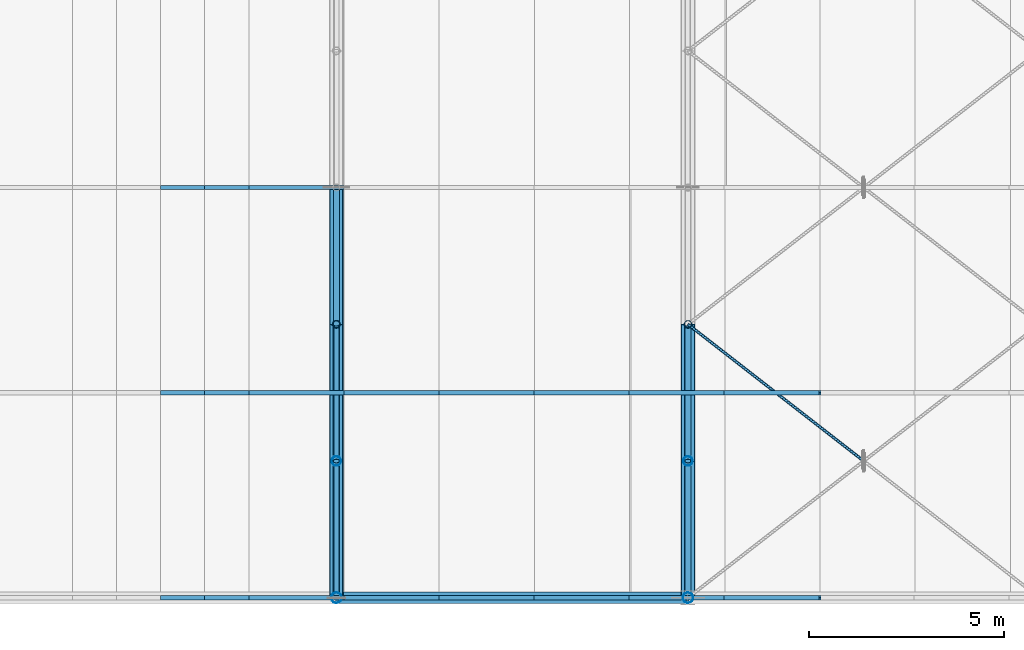
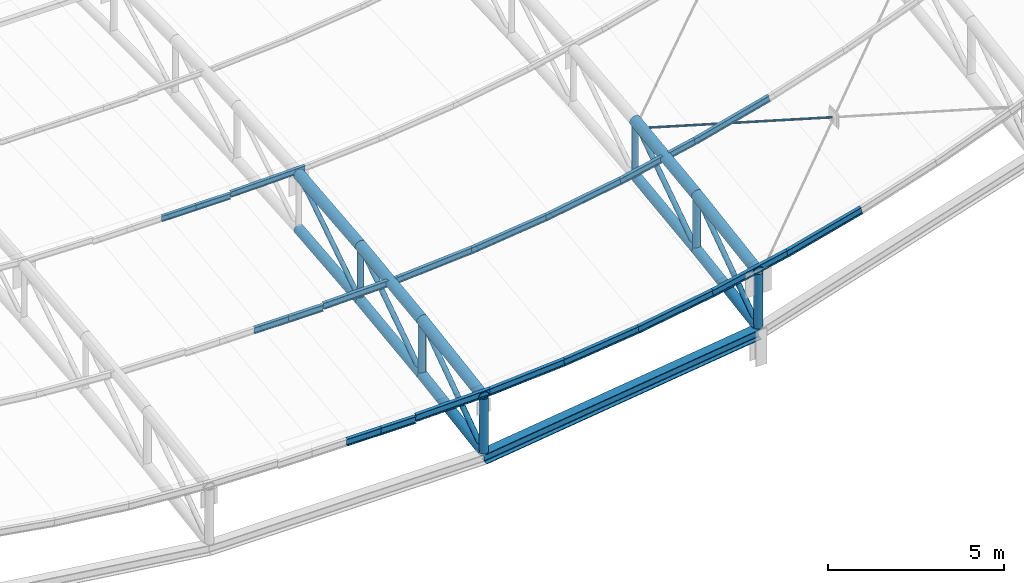
# One storey, part 27 of 262: 41 members, 1 beam.
"""IFC4 building model written with IfcOpenShell, lengths in metres."""

from ifc_helpers import new_model, si_unit, derived_unit, direction, frame, origin, origin_2d, place, context, subcontext, project, spatial, hollow_circle, i_section, extrude, material, material_profile, profile_set, type_object, element, save


model = new_model("IFC4")

# Units and contexts
model_context = context("Model", 3, precision=1e-05, world=origin(), true_north=direction((0.0, 1.0)))
body_context = subcontext(model_context, "Body", "Model", "MODEL_VIEW")
ifc_project = project(units=[si_unit("LENGTHUNIT", "METRE"), si_unit("AREAUNIT", "SQUARE_METRE"), si_unit("VOLUMEUNIT", "CUBIC_METRE"), si_unit("PLANEANGLEUNIT", "RADIAN"), si_unit("MASSUNIT", "GRAM", prefix="KILO"), derived_unit("THERMALTRANSMITTANCEUNIT", [(si_unit("POWERUNIT", "WATT"), 1), (si_unit("LENGTHUNIT", "METRE"), -2), (si_unit("THERMODYNAMICTEMPERATUREUNIT", "KELVIN"), -1)])], contexts=[model_context])

# Site, building, storey
site_placement = place(None, origin())
site = spatial("IfcSite", under=ifc_project, at=site_placement, CompositionType="ELEMENT")
building_placement = place(site_placement, origin())
building = spatial("IfcBuilding", under=site, at=building_placement, Name="Almenara Railside Exhibition Hall", CompositionType="ELEMENT")
storey_placement = place(building_placement, frame((0.0, 0.0, 21.699951171875)))
storey = spatial("IfcBuildingStorey", under=building, at=storey_placement, Name="RF", CompositionType="ELEMENT", Elevation=21.699951171875)

# Members
ifc_material = material(Name="Structural steel S355JR", Category="steel")
ifc_material_profile_1 = material_profile(ifc_material, i_section(OverallWidth=0.110107421875, OverallDepth=0.219970703125, WebThickness=0.005859375, FlangeThickness=0.00927734375, FilletRadius=0.011962890625, at=origin_2d()), Name="IPE 220")
ifc_profile_set_1 = profile_set([ifc_material_profile_1], Name="Structural steel S355JR")
member_type_1 = type_object("IfcMemberType", Name="Heavy Hall Roof Purlin IPE 220 S355JR", PredefinedType="PURLIN", material=ifc_profile_set_1)
member_1_placement = place(storey_placement, frame((34.5, 5.25, -7.349853515625), z_axis=(1.0, 0.0, 0.0), x_axis=(0.0, 1.0, 0.0)))
element("IfcMember", 1, at=member_1_placement, inside=storey, type_object=member_type_1, Name="MEM-PR-V4-PR-IPE220-01-14", PredefinedType="PURLIN", context=body_context, shape_type="SweptSolid", body=[
    extrude(i_section(OverallWidth=0.110107421875, OverallDepth=0.219970703125, WebThickness=0.005859375, FlangeThickness=0.00927734375, FilletRadius=0.011962890625, at=origin_2d()), origin(), (0.0, 0.0, 1.0), 1.1298828125),
])
member_2_placement = place(storey_placement, frame((35.6298828125, 5.25, -7.349853515625), z_axis=(1.0, 0.0, 0.0), x_axis=(0.0, 1.0, 0.0)))
element("IfcMember", 2, at=member_2_placement, inside=storey, type_object=member_type_1, Name="MEM-PR-V4-PR-IPE220-01-15", PredefinedType="PURLIN", context=body_context, shape_type="SweptSolid", body=[
    extrude(i_section(OverallWidth=0.110107421875, OverallDepth=0.219970703125, WebThickness=0.005859375, FlangeThickness=0.00927734375, FilletRadius=0.011962890625, at=origin_2d()), origin(), (0.0, 0.0, 1.0), 1.129638671875),
])
member_3_placement = place(storey_placement, frame((36.759521484375, 5.25, -7.299560546875), z_axis=(0.999725289903, 0.0, 0.023438104182), x_axis=(0.0, 1.0, 0.0)))
element("IfcMember", 3, at=member_3_placement, inside=storey, type_object=member_type_1, Name="MEM-PR-V4-PR-IPE220-01-16", PredefinedType="PURLIN", context=body_context, shape_type="SweptSolid", body=[
    extrude(i_section(OverallWidth=0.110107421875, OverallDepth=0.219970703125, WebThickness=0.005859375, FlangeThickness=0.00927734375, FilletRadius=0.011962890625, at=origin_2d()), origin(), (0.0, 0.0, 1.0), 2.4375),
])
member_4_placement = place(storey_placement, frame((39.1962890625, 5.25, -7.2431640625), z_axis=(0.997521719737, 0.0, 0.070359211571), x_axis=(0.0, 1.0, 0.0)))
element("IfcMember", 4, at=member_4_placement, inside=storey, type_object=member_type_1, Name="MEM-PR-V4-PR-IPE220-01-17", PredefinedType="PURLIN", context=body_context, shape_type="SweptSolid", body=[
    extrude(i_section(OverallWidth=0.110107421875, OverallDepth=0.219970703125, WebThickness=0.005859375, FlangeThickness=0.00927734375, FilletRadius=0.011962890625, at=origin_2d()), origin(), (0.0, 0.0, 1.0), 2.44287109375),
])
member_5_placement = place(storey_placement, frame((41.633056640625, 5.25, -7.07275390625), z_axis=(0.993105700961, 0.0, 0.117222296166), x_axis=(0.0, 1.0, 0.0)))
element("IfcMember", 5, at=member_5_placement, inside=storey, type_object=member_type_1, Name="MEM-PR-V4-PR-IPE220-01-18", PredefinedType="PURLIN", context=body_context, shape_type="SweptSolid", body=[
    extrude(i_section(OverallWidth=0.110107421875, OverallDepth=0.219970703125, WebThickness=0.005859375, FlangeThickness=0.00927734375, FilletRadius=0.011962890625, at=origin_2d()), origin(), (0.0, 0.0, 1.0), 2.453369140625),
])
member_6_placement = place(storey_placement, frame((44.069580078125, 5.25, -6.787353515625), z_axis=(0.986449960692, 0.0, 0.164062412058), x_axis=(0.0, 1.0, 0.0)))
element("IfcMember", 6, at=member_6_placement, inside=storey, type_object=member_type_1, Name="MEM-PR-V4-PR-IPE220-01-19", PredefinedType="PURLIN", context=body_context, shape_type="SweptSolid", body=[
    extrude(i_section(OverallWidth=0.110107421875, OverallDepth=0.219970703125, WebThickness=0.005859375, FlangeThickness=0.00927734375, FilletRadius=0.011962890625, at=origin_2d()), origin(), (0.0, 0.0, 1.0), 2.47021484375),
])
member_7_placement = place(storey_placement, frame((46.50634765625, 5.25, -6.385009765625), z_axis=(0.977496103583, 0.0, 0.210953472309), x_axis=(0.0, 1.0, 0.0)))
element("IfcMember", 7, at=member_7_placement, inside=storey, type_object=member_type_1, Name="MEM-PR-V4-PR-IPE220-01-20", PredefinedType="PURLIN", context=body_context, shape_type="SweptSolid", body=[
    extrude(i_section(OverallWidth=0.110107421875, OverallDepth=0.219970703125, WebThickness=0.005859375, FlangeThickness=0.00927734375, FilletRadius=0.011962890625, at=origin_2d()), origin(), (0.0, 0.0, 1.0), 2.492919921875),
])
member_8_placement = place(storey_placement, frame((48.943115234375, 5.25, -5.86279296875), z_axis=(0.966201190487, 0.0, 0.257789176462), x_axis=(0.0, 1.0, 0.0)))
element("IfcMember", 8, at=member_8_placement, inside=storey, type_object=member_type_1, Name="MEM-PR-V4-PR-IPE220-01-21", PredefinedType="PURLIN", context=body_context, shape_type="SweptSolid", body=[
    extrude(i_section(OverallWidth=0.110107421875, OverallDepth=0.219970703125, WebThickness=0.005859375, FlangeThickness=0.00927734375, FilletRadius=0.011962890625, at=origin_2d()), origin(), (0.0, 0.0, 1.0), 2.52197265625),
])
ifc_material_profile_2 = material_profile(ifc_material, hollow_circle(Radius=0.0380859375, WallThickness=0.003662109375, at=origin_2d()), Name="CHS 76.1x3.6")
ifc_profile_set_2 = profile_set([ifc_material_profile_2], Name="Structural steel S355JR")
member_type_2 = type_object("IfcMemberType", Name="Lantern Cross-Tie Brace CHS 76.1x3.6 S355JR", PredefinedType="BRACE", material=ifc_profile_set_2)
member_9_placement = place(storey_placement, frame((48.0, 7.0, -6.150634765625), z_axis=(0.778918840983, -0.605835224881, 0.162015800021), x_axis=(0.613946586515, 0.789347571673, 0.0)))
element("IfcMember", 9, at=member_9_placement, inside=storey, type_object=member_type_2, Name="MEM-WB-V4-WB-CHS76-05-00-S1", PredefinedType="BRACE", context=body_context, shape_type="SweptSolid", body=[
    extrude(hollow_circle(Radius=0.0380859375, WallThickness=0.003662109375, at=origin_2d()), origin(), (0.0, 0.0, 1.0), 5.7353515625),
])
ifc_material_profile_3 = material_profile(ifc_material, hollow_circle(Radius=0.161865234375, WallThickness=0.010009765625, at=origin_2d()), Name="CHS 323.9x10")
ifc_profile_set_3 = profile_set([ifc_material_profile_3], Name="Structural steel S355JR")
member_type_3 = type_object("IfcMemberType", Name="Plenary Truss Bottom Chord CHS 323.9x10 S355JR", PredefinedType="CHORD", material=ifc_profile_set_3)
member_10_placement = place(storey_placement, frame((39.0, 0.0, -9.95166015625), z_axis=(0.0, 0.987875011802, 0.155251283593), x_axis=(-1.0, 0.0, 0.0)))
element("IfcMember", 10, at=member_10_placement, inside=storey, type_object=member_type_3, Name="MEM-BC-V4-04-00", PredefinedType="CHORD", context=body_context, shape_type="SweptSolid", body=[
    extrude(hollow_circle(Radius=0.161865234375, WallThickness=0.010009765625, at=origin_2d()), origin(), (0.0, 0.0, 1.0), 3.54296875),
])
member_11_placement = place(storey_placement, frame((39.0, 3.5, -9.401611328125), z_axis=(0.0, 0.991837525329, 0.127508130523), x_axis=(-1.0, 0.0, 0.0)))
element("IfcMember", 11, at=member_11_placement, inside=storey, type_object=member_type_3, Name="MEM-BC-V4-04-01", PredefinedType="CHORD", context=body_context, shape_type="SweptSolid", body=[
    extrude(hollow_circle(Radius=0.161865234375, WallThickness=0.010009765625, at=origin_2d()), origin(), (0.0, 0.0, 1.0), 3.52880859375),
])
member_12_placement = place(storey_placement, frame((39.0, 7.0, -8.95166015625), z_axis=(0.0, 0.995034440995, 0.099531207337), x_axis=(-1.0, 0.0, 0.0)))
element("IfcMember", 12, at=member_12_placement, inside=storey, type_object=member_type_3, Name="MEM-BC-V4-04-02", PredefinedType="CHORD", context=body_context, shape_type="SweptSolid", body=[
    extrude(hollow_circle(Radius=0.161865234375, WallThickness=0.010009765625, at=origin_2d()), origin(), (0.0, 0.0, 1.0), 3.517578125),
])
member_13_placement = place(storey_placement, frame((48.0, 0.0, -8.7705078125), z_axis=(0.0, 0.987875011802, 0.155251283593), x_axis=(-1.0, 0.0, 0.0)))
element("IfcMember", 13, at=member_13_placement, inside=storey, type_object=member_type_3, Name="MEM-BC-V4-05-00", PredefinedType="CHORD", context=body_context, shape_type="SweptSolid", body=[
    extrude(hollow_circle(Radius=0.161865234375, WallThickness=0.010009765625, at=origin_2d()), origin(), (0.0, 0.0, 1.0), 3.54296875),
])
member_14_placement = place(storey_placement, frame((48.0, 3.5, -8.220458984375), z_axis=(0.0, 0.991837525329, 0.127508130523), x_axis=(-1.0, 0.0, 0.0)))
element("IfcMember", 14, at=member_14_placement, inside=storey, type_object=member_type_3, Name="MEM-BC-V4-05-01", PredefinedType="CHORD", context=body_context, shape_type="SweptSolid", body=[
    extrude(hollow_circle(Radius=0.161865234375, WallThickness=0.010009765625, at=origin_2d()), origin(), (0.0, 0.0, 1.0), 3.52880859375),
])
ifc_material_profile_4 = material_profile(ifc_material, hollow_circle(Radius=0.177734375, WallThickness=0.012451171875, at=origin_2d()), Name="CHS 355.6x12.5")
ifc_profile_set_4 = profile_set([ifc_material_profile_4], Name="Structural steel S355JR")
member_type_4 = type_object("IfcMemberType", Name="Plenary Truss Top Chord CHS 355.6x12.5 S355JR", PredefinedType="CHORD", material=ifc_profile_set_4)
member_15_placement = place(storey_placement, frame((39.0, 0.0, -8.0517578125), z_axis=(0.0, 0.987875011802, 0.155251283593), x_axis=(-1.0, 0.0, 0.0)))
element("IfcMember", 15, at=member_15_placement, inside=storey, type_object=member_type_4, Name="MEM-TC-V4-04-00", PredefinedType="CHORD", context=body_context, shape_type="SweptSolid", body=[
    extrude(hollow_circle(Radius=0.177734375, WallThickness=0.012451171875, at=origin_2d()), origin(), (0.0, 0.0, 1.0), 3.54296875),
])
member_16_placement = place(storey_placement, frame((39.0, 3.5, -7.501708984375), z_axis=(0.0, 0.991837525329, 0.127508130523), x_axis=(-1.0, 0.0, 0.0)))
element("IfcMember", 16, at=member_16_placement, inside=storey, type_object=member_type_4, Name="MEM-TC-V4-04-01", PredefinedType="CHORD", context=body_context, shape_type="SweptSolid", body=[
    extrude(hollow_circle(Radius=0.177734375, WallThickness=0.012451171875, at=origin_2d()), origin(), (0.0, 0.0, 1.0), 3.52880859375),
])
member_17_placement = place(storey_placement, frame((39.0, 7.0, -7.0517578125), z_axis=(0.0, 0.995034440995, 0.099531207337), x_axis=(-1.0, 0.0, 0.0)))
element("IfcMember", 17, at=member_17_placement, inside=storey, type_object=member_type_4, Name="MEM-TC-V4-04-02", PredefinedType="CHORD", context=body_context, shape_type="SweptSolid", body=[
    extrude(hollow_circle(Radius=0.177734375, WallThickness=0.012451171875, at=origin_2d()), origin(), (0.0, 0.0, 1.0), 3.517578125),
])
member_18_placement = place(storey_placement, frame((48.0, 0.0, -6.87060546875), z_axis=(0.0, 0.987875011802, 0.155251283593), x_axis=(-1.0, 0.0, 0.0)))
element("IfcMember", 18, at=member_18_placement, inside=storey, type_object=member_type_4, Name="MEM-TC-V4-05-00", PredefinedType="CHORD", context=body_context, shape_type="SweptSolid", body=[
    extrude(hollow_circle(Radius=0.177734375, WallThickness=0.012451171875, at=origin_2d()), origin(), (0.0, 0.0, 1.0), 3.54296875),
])
member_19_placement = place(storey_placement, frame((48.0, 3.5, -6.320556640625), z_axis=(0.0, 0.991837525329, 0.127508130523), x_axis=(-1.0, 0.0, 0.0)))
element("IfcMember", 19, at=member_19_placement, inside=storey, type_object=member_type_4, Name="MEM-TC-V4-05-01", PredefinedType="CHORD", context=body_context, shape_type="SweptSolid", body=[
    extrude(hollow_circle(Radius=0.177734375, WallThickness=0.012451171875, at=origin_2d()), origin(), (0.0, 0.0, 1.0), 3.52880859375),
])
ifc_material_profile_5 = material_profile(ifc_material, i_section(OverallWidth=0.1201171875, OverallDepth=0.239990234375, WebThickness=0.006103515625, FlangeThickness=0.009765625, FilletRadius=0.014892578125, at=origin_2d()), Name="IPE 240")
ifc_profile_set_5 = profile_set([ifc_material_profile_5], Name="Structural steel S355JR")
member_type_5 = type_object("IfcMemberType", Name="Scroll Roof Purlin IPE 240 S355JR", PredefinedType="PURLIN", material=ifc_profile_set_5)
member_20_placement = place(storey_placement, frame((34.5, 0.0, -8.038818359375), z_axis=(1.0, 0.0, 0.0), x_axis=(0.0, 1.0, 0.0)))
element("IfcMember", 20, at=member_20_placement, inside=storey, type_object=member_type_5, Name="MEM-PR-V4-PR-IPE240-00-14", PredefinedType="PURLIN", context=body_context, shape_type="SweptSolid", body=[
    extrude(i_section(OverallWidth=0.1201171875, OverallDepth=0.239990234375, WebThickness=0.006103515625, FlangeThickness=0.009765625, FilletRadius=0.014892578125, at=origin_2d()), origin(), (0.0, 0.0, 1.0), 1.1298828125),
])
member_21_placement = place(storey_placement, frame((35.6298828125, 0.0, -8.038818359375), z_axis=(1.0, 0.0, 0.0), x_axis=(0.0, 1.0, 0.0)))
element("IfcMember", 21, at=member_21_placement, inside=storey, type_object=member_type_5, Name="MEM-PR-V4-PR-IPE240-00-15", PredefinedType="PURLIN", context=body_context, shape_type="SweptSolid", body=[
    extrude(i_section(OverallWidth=0.1201171875, OverallDepth=0.239990234375, WebThickness=0.006103515625, FlangeThickness=0.009765625, FilletRadius=0.014892578125, at=origin_2d()), origin(), (0.0, 0.0, 1.0), 1.129638671875),
])
member_22_placement = place(storey_placement, frame((36.759521484375, 0.0, -7.988037109375), z_axis=(0.999725289903, 0.0, 0.023438104182), x_axis=(0.0, 1.0, 0.0)))
element("IfcMember", 22, at=member_22_placement, inside=storey, type_object=member_type_5, Name="MEM-PR-V4-PR-IPE240-00-16", PredefinedType="PURLIN", context=body_context, shape_type="SweptSolid", body=[
    extrude(i_section(OverallWidth=0.1201171875, OverallDepth=0.239990234375, WebThickness=0.006103515625, FlangeThickness=0.009765625, FilletRadius=0.014892578125, at=origin_2d()), origin(), (0.0, 0.0, 1.0), 2.4375),
])
member_23_placement = place(storey_placement, frame((39.1962890625, 0.0, -7.931640625), z_axis=(0.997528729247, 0.0, 0.070259763216), x_axis=(0.0, 1.0, 0.0)))
element("IfcMember", 23, at=member_23_placement, inside=storey, type_object=member_type_5, Name="MEM-PR-V4-PR-IPE240-00-17", PredefinedType="PURLIN", context=body_context, shape_type="SweptSolid", body=[
    extrude(i_section(OverallWidth=0.1201171875, OverallDepth=0.239990234375, WebThickness=0.006103515625, FlangeThickness=0.009765625, FilletRadius=0.014892578125, at=origin_2d()), origin(), (0.0, 0.0, 1.0), 2.44287109375),
])
member_24_placement = place(storey_placement, frame((41.633056640625, 0.0, -7.76123046875), z_axis=(0.993117280569, 0.0, 0.117124152227), x_axis=(0.0, 1.0, 0.0)))
element("IfcMember", 24, at=member_24_placement, inside=storey, type_object=member_type_5, Name="MEM-PR-V4-PR-IPE240-00-18", PredefinedType="PURLIN", context=body_context, shape_type="SweptSolid", body=[
    extrude(i_section(OverallWidth=0.1201171875, OverallDepth=0.239990234375, WebThickness=0.006103515625, FlangeThickness=0.009765625, FilletRadius=0.014892578125, at=origin_2d()), origin(), (0.0, 0.0, 1.0), 2.453369140625),
])
member_25_placement = place(storey_placement, frame((44.069580078125, 0.0, -7.47607421875), z_axis=(0.986449960692, 0.0, 0.164062412058), x_axis=(0.0, 1.0, 0.0)))
element("IfcMember", 25, at=member_25_placement, inside=storey, type_object=member_type_5, Name="MEM-PR-V4-PR-IPE240-00-19", PredefinedType="PURLIN", context=body_context, shape_type="SweptSolid", body=[
    extrude(i_section(OverallWidth=0.1201171875, OverallDepth=0.239990234375, WebThickness=0.006103515625, FlangeThickness=0.009765625, FilletRadius=0.014892578125, at=origin_2d()), origin(), (0.0, 0.0, 1.0), 2.47021484375),
])
member_26_placement = place(storey_placement, frame((46.50634765625, 0.0, -7.07373046875), z_axis=(0.977496103583, 0.0, 0.210953472309), x_axis=(0.0, 1.0, 0.0)))
element("IfcMember", 26, at=member_26_placement, inside=storey, type_object=member_type_5, Name="MEM-PR-V4-PR-IPE240-00-20", PredefinedType="PURLIN", context=body_context, shape_type="SweptSolid", body=[
    extrude(i_section(OverallWidth=0.1201171875, OverallDepth=0.239990234375, WebThickness=0.006103515625, FlangeThickness=0.009765625, FilletRadius=0.014892578125, at=origin_2d()), origin(), (0.0, 0.0, 1.0), 2.492919921875),
])
member_27_placement = place(storey_placement, frame((48.943115234375, 0.0, -6.5517578125), z_axis=(0.966201190487, 0.0, 0.257789176462), x_axis=(0.0, 1.0, 0.0)))
element("IfcMember", 27, at=member_27_placement, inside=storey, type_object=member_type_5, Name="MEM-PR-V4-PR-IPE240-00-21", PredefinedType="PURLIN", context=body_context, shape_type="SweptSolid", body=[
    extrude(i_section(OverallWidth=0.1201171875, OverallDepth=0.239990234375, WebThickness=0.006103515625, FlangeThickness=0.009765625, FilletRadius=0.014892578125, at=origin_2d()), origin(), (0.0, 0.0, 1.0), 2.52197265625),
])
ifc_material_profile_6 = material_profile(ifc_material, i_section(OverallWidth=0.10009765625, OverallDepth=0.199951171875, WebThickness=0.005615234375, FlangeThickness=0.008544921875, FilletRadius=0.011962890625, at=origin_2d()), Name="IPE 200")
ifc_profile_set_6 = profile_set([ifc_material_profile_6], Name="Structural steel S355JR")
member_type_6 = type_object("IfcMemberType", Name="Standard Hall Roof Purlin IPE 200 S355JR", PredefinedType="PURLIN", material=ifc_profile_set_6)
member_28_placement = place(storey_placement, frame((34.5, 10.5, -6.661865234375), z_axis=(1.0, 0.0, 0.0), x_axis=(0.0, 1.0, 0.0)))
element("IfcMember", 28, at=member_28_placement, inside=storey, type_object=member_type_6, Name="MEM-PR-V4-PR-IPE200-02-14", PredefinedType="PURLIN", context=body_context, shape_type="SweptSolid", body=[
    extrude(i_section(OverallWidth=0.10009765625, OverallDepth=0.199951171875, WebThickness=0.005615234375, FlangeThickness=0.008544921875, FilletRadius=0.011962890625, at=origin_2d()), origin(), (0.0, 0.0, 1.0), 1.1298828125),
])
member_29_placement = place(storey_placement, frame((35.6298828125, 10.5, -6.661865234375), z_axis=(1.0, 0.0, 0.0), x_axis=(0.0, 1.0, 0.0)))
element("IfcMember", 29, at=member_29_placement, inside=storey, type_object=member_type_6, Name="MEM-PR-V4-PR-IPE200-02-15", PredefinedType="PURLIN", context=body_context, shape_type="SweptSolid", body=[
    extrude(i_section(OverallWidth=0.10009765625, OverallDepth=0.199951171875, WebThickness=0.005615234375, FlangeThickness=0.008544921875, FilletRadius=0.011962890625, at=origin_2d()), origin(), (0.0, 0.0, 1.0), 1.129638671875),
])
member_30_placement = place(storey_placement, frame((36.759521484375, 10.5, -6.61181640625), z_axis=(0.999725289903, 0.0, 0.023438104182), x_axis=(0.0, 1.0, 0.0)))
element("IfcMember", 30, at=member_30_placement, inside=storey, type_object=member_type_6, Name="MEM-PR-V4-PR-IPE200-02-16", PredefinedType="PURLIN", context=body_context, shape_type="SweptSolid", body=[
    extrude(i_section(OverallWidth=0.10009765625, OverallDepth=0.199951171875, WebThickness=0.005615234375, FlangeThickness=0.008544921875, FilletRadius=0.011962890625, at=origin_2d()), origin(), (0.0, 0.0, 1.0), 2.4375),
])

# Beam
ifc_material_profile_7 = material_profile(ifc_material, i_section(OverallWidth=0.300048828125, OverallDepth=0.360107421875, WebThickness=0.012451171875, FlangeThickness=0.0224609375, FilletRadius=0.027099609375, at=origin_2d()), Name="HEB 360")
ifc_profile_set_7 = profile_set([ifc_material_profile_7], Name="Structural steel S355JR")
beam_type = type_object("IfcBeamType", Name="Steel Portal Girder HEB 360 S355JR", PredefinedType="USERDEFINED", material=ifc_profile_set_7)
beam_placement = place(storey_placement, frame((39.0, 0.0, -10.131591796875), z_axis=(0.991497815941, 0.0, 0.130123329902), x_axis=(0.0, 1.0, 0.0)))
element("IfcBeam", 31, at=beam_placement, inside=storey, type_object=beam_type, Name="Beam 0997", ObjectType="GIRDER", PredefinedType="USERDEFINED", context=body_context, shape_type="SweptSolid", body=[
    extrude(i_section(OverallWidth=0.300048828125, OverallDepth=0.360107421875, WebThickness=0.012451171875, FlangeThickness=0.0224609375, FilletRadius=0.027099609375, at=origin_2d()), origin(), (0.0, 0.0, 1.0), 9.0771484375),
])

# Members
ifc_material_profile_8 = material_profile(ifc_material, hollow_circle(Radius=0.084228515625, WallThickness=0.006103515625, at=origin_2d()), Name="CHS 168.3x6")
ifc_profile_set_8 = profile_set([ifc_material_profile_8], Name="Structural steel S355JR")
member_type_7 = type_object("IfcMemberType", Name="Truss End Diagonal CHS 168.3x6 S355JR", PredefinedType="BRACE", material=ifc_profile_set_8)
member_31_placement = place(storey_placement, frame((39.0, 0.0, -9.95166015625), z_axis=(0.0, 0.819237289855, 0.573454673807), x_axis=(-1.0, 0.0, 0.0)))
element("IfcMember", 32, at=member_31_placement, inside=storey, type_object=member_type_7, Name="MEM-TD-V4-04-00", PredefinedType="BRACE", context=body_context, shape_type="SweptSolid", body=[
    extrude(hollow_circle(Radius=0.084228515625, WallThickness=0.006103515625, at=origin_2d()), origin(), (0.0, 0.0, 1.0), 4.272216796875),
])
member_32_placement = place(storey_placement, frame((39.0, 3.5, -9.401611328125), z_axis=(0.0, 0.830237211538, 0.557410237238), x_axis=(-1.0, 0.0, 0.0)))
element("IfcMember", 33, at=member_32_placement, inside=storey, type_object=member_type_7, Name="MEM-TD-V4-04-01", PredefinedType="BRACE", context=body_context, shape_type="SweptSolid", body=[
    extrude(hollow_circle(Radius=0.084228515625, WallThickness=0.006103515625, at=origin_2d()), origin(), (0.0, 0.0, 1.0), 4.215576171875),
])
member_33_placement = place(storey_placement, frame((48.0, 0.0, -8.7705078125), z_axis=(0.0, 0.819237289855, 0.573454673807), x_axis=(-1.0, 0.0, 0.0)))
element("IfcMember", 34, at=member_33_placement, inside=storey, type_object=member_type_7, Name="MEM-TD-V4-05-00", PredefinedType="BRACE", context=body_context, shape_type="SweptSolid", body=[
    extrude(hollow_circle(Radius=0.084228515625, WallThickness=0.006103515625, at=origin_2d()), origin(), (0.0, 0.0, 1.0), 4.272216796875),
])
member_34_placement = place(storey_placement, frame((48.0, 3.5, -8.220458984375), z_axis=(0.0, 0.830237211538, 0.557410237238), x_axis=(-1.0, 0.0, 0.0)))
element("IfcMember", 35, at=member_34_placement, inside=storey, type_object=member_type_7, Name="MEM-TD-V4-05-01", PredefinedType="BRACE", context=body_context, shape_type="SweptSolid", body=[
    extrude(hollow_circle(Radius=0.084228515625, WallThickness=0.006103515625, at=origin_2d()), origin(), (0.0, 0.0, 1.0), 4.215576171875),
])
ifc_material_profile_9 = material_profile(ifc_material, hollow_circle(Radius=0.122314453125, WallThickness=0.008056640625, at=origin_2d()), Name="CHS 244.5x8")
ifc_profile_set_9 = profile_set([ifc_material_profile_9], Name="Structural steel S355JR")
member_type_8 = type_object("IfcMemberType", Name="Truss Haunch Vertical Strut CHS 244.5x8 S355JR", PredefinedType="BRACE", material=ifc_profile_set_9)
for number, where, z_axis, x_axis, name in (
    (36, (39.0, 3.5, -9.401611328125), (0.0, 0.0, 1.0), (1.0, 0.0, 0.0), "MEM-TV-V4-04-01"),
    (37, (48.0, 3.5, -8.220458984375), (0.0, 0.0, 1.0), (1.0, 0.0, 0.0), "MEM-TV-V4-05-01"),
):
    element("IfcMember", number, at=place(storey_placement, frame(where, z_axis=z_axis, x_axis=x_axis)), inside=storey, type_object=member_type_8, Name=name, PredefinedType="BRACE", context=body_context, shape_type="SweptSolid", body=[
        extrude(hollow_circle(Radius=0.122314453125, WallThickness=0.008056640625, at=origin_2d()), origin(), (0.0, 0.0, 1.0), 1.89990234375),
    ])
ifc_material_profile_10 = material_profile(ifc_material, hollow_circle(Radius=0.076171875, WallThickness=0.0048828125, at=origin_2d()), Name="CHS 152.4x5")
ifc_profile_set_10 = profile_set([ifc_material_profile_10], Name="Structural steel S355JR")
member_type_9 = type_object("IfcMemberType", Name="Truss Mid Diagonal CHS 152.4x5 S355JR", PredefinedType="BRACE", material=ifc_profile_set_10)
member_35_placement = place(storey_placement, frame((39.0, 7.0, -8.95166015625), z_axis=(0.0, 0.841178475377, 0.540757591313), x_axis=(-1.0, 0.0, 0.0)))
element("IfcMember", 38, at=member_35_placement, inside=storey, type_object=member_type_9, Name="MEM-TD-V4-04-02", PredefinedType="BRACE", context=body_context, shape_type="SweptSolid", body=[
    extrude(hollow_circle(Radius=0.076171875, WallThickness=0.0048828125, at=origin_2d()), origin(), (0.0, 0.0, 1.0), 4.160888671875),
])
ifc_material_profile_11 = material_profile(ifc_material, hollow_circle(Radius=0.096923828125, WallThickness=0.00634765625, at=origin_2d()), Name="CHS 193.7x6.3")
ifc_profile_set_11 = profile_set([ifc_material_profile_11], Name="Structural steel S355JR")
member_type_10 = type_object("IfcMemberType", Name="Truss Standard Vertical Strut CHS 193.7x6.3 S355JR", PredefinedType="BRACE", material=ifc_profile_set_11)
for number, where, z_axis, x_axis, name in (
    (39, (39.0, 7.0, -8.95166015625), (0.0, 0.0, 1.0), (1.0, 0.0, 0.0), "MEM-TV-V4-04-02"),
    (40, (48.0, 7.0, -7.7705078125), (0.0, 0.0, 1.0), (1.0, 0.0, 0.0), "MEM-TV-V4-05-02"),
):
    element("IfcMember", number, at=place(storey_placement, frame(where, z_axis=z_axis, x_axis=x_axis)), inside=storey, type_object=member_type_10, Name=name, PredefinedType="BRACE", context=body_context, shape_type="SweptSolid", body=[
        extrude(hollow_circle(Radius=0.096923828125, WallThickness=0.00634765625, at=origin_2d()), origin(), (0.0, 0.0, 1.0), 1.89990234375),
    ])
ifc_material_profile_12 = material_profile(ifc_material, hollow_circle(Radius=0.136474609375, WallThickness=0.008056640625, at=origin_2d()), Name="CHS 273x8")
ifc_profile_set_12 = profile_set([ifc_material_profile_12], Name="Structural steel S355JR")
member_type_11 = type_object("IfcMemberType", Name="Truss Support Vertical Strut CHS 273x8 S355JR", PredefinedType="BRACE", material=ifc_profile_set_12)
for number, where, z_axis, x_axis, name in (
    (41, (39.0, 0.0, -9.95166015625), (0.0, 0.0, 1.0), (1.0, 0.0, 0.0), "MEM-TV-V4-04-00"),
    (42, (48.0, 0.0, -8.7705078125), (0.0, 0.0, 1.0), (1.0, 0.0, 0.0), "MEM-TV-V4-05-00"),
):
    element("IfcMember", number, at=place(storey_placement, frame(where, z_axis=z_axis, x_axis=x_axis)), inside=storey, type_object=member_type_11, Name=name, PredefinedType="BRACE", context=body_context, shape_type="SweptSolid", body=[
        extrude(hollow_circle(Radius=0.136474609375, WallThickness=0.008056640625, at=origin_2d()), origin(), (0.0, 0.0, 1.0), 1.89990234375),
    ])

save(model, "model.ifc")
